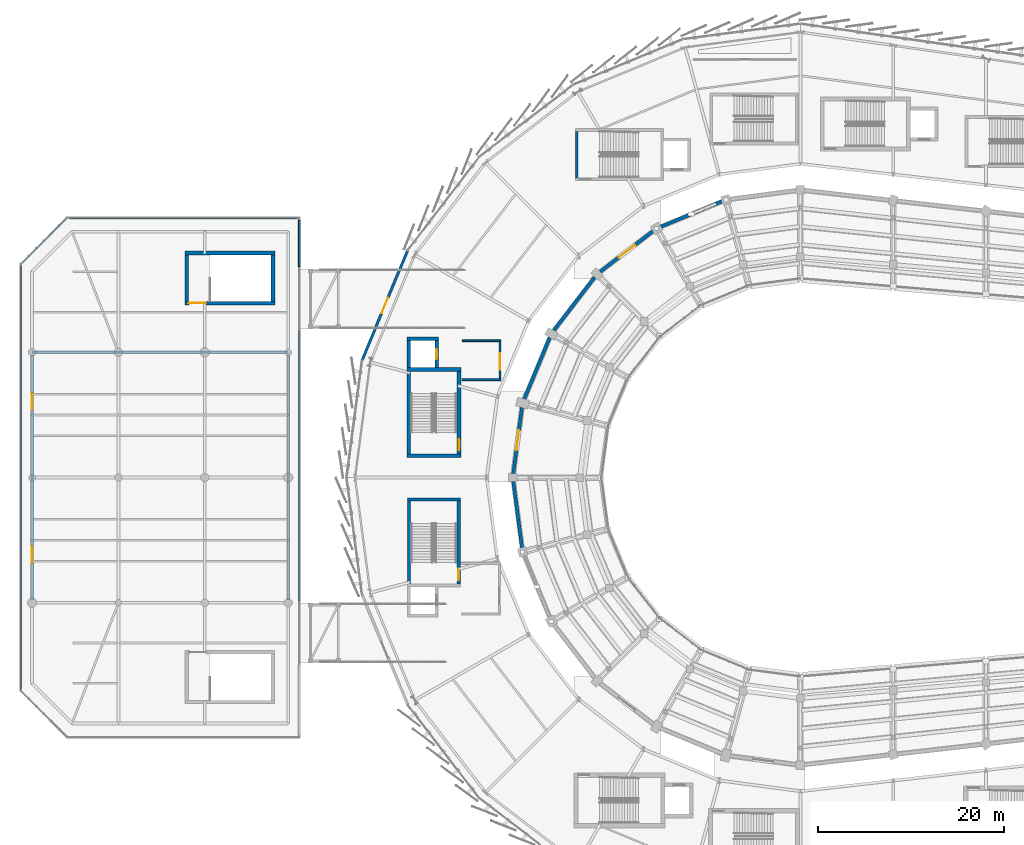
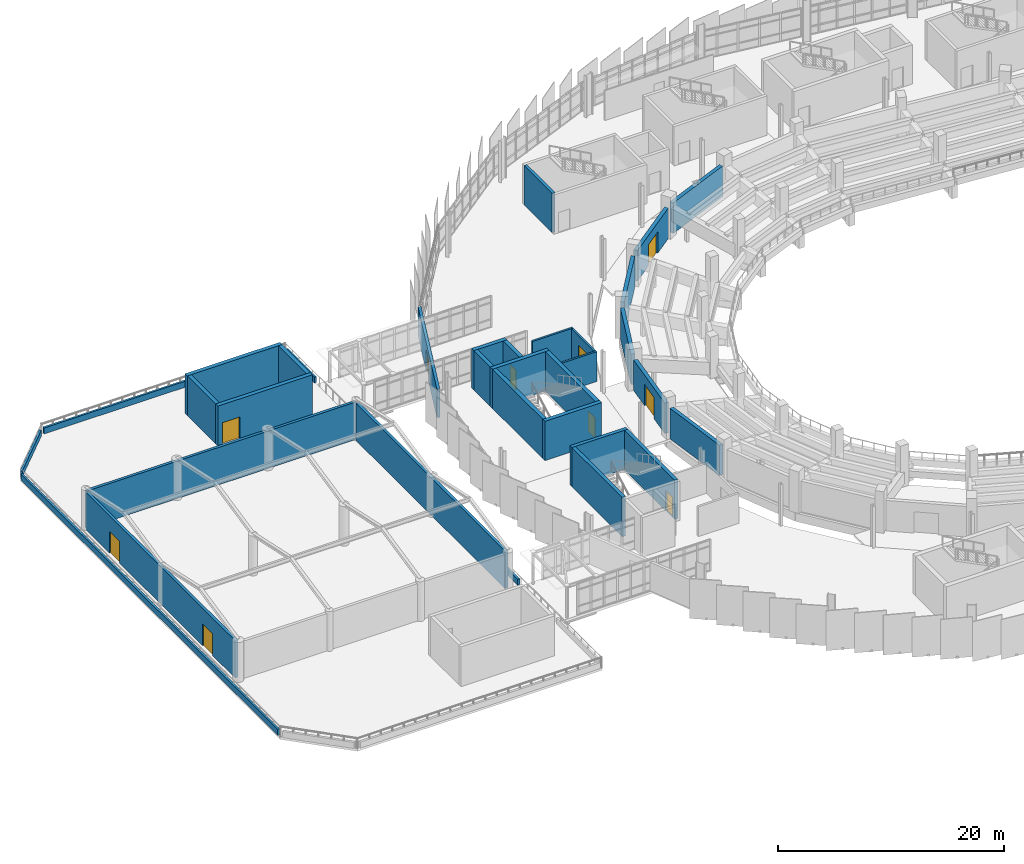
# One storey, part 101 of 120: 33 walls, 10 doors, 10 openings.
"""IFC4 building model written with IfcOpenShell, lengths in metres."""

from ifc_helpers import new_model, si_unit, direction, frame, frame_2d, origin, place, context, subcontext, project, spatial, rectangle, extrude, material, layer, layer_set, type_object, element, fill, save


model = new_model("IFC4")

# Units and contexts
model_context = context("Model", 3, precision=1e-05, world=origin(), true_north=direction((0.0, 1.0)))
body_context = subcontext(model_context, "Body", "Model", "MODEL_VIEW")
ifc_project = project(units=[si_unit("LENGTHUNIT", "METRE"), si_unit("AREAUNIT", "SQUARE_METRE"), si_unit("VOLUMEUNIT", "CUBIC_METRE"), si_unit("PLANEANGLEUNIT", "RADIAN"), si_unit("MASSUNIT", "GRAM", prefix="KILO")], contexts=[model_context])

# Site, building, storey
site_placement = place(None, origin())
site = spatial("IfcSite", under=ifc_project, at=site_placement, CompositionType="ELEMENT")
building_placement = place(site_placement, origin())
building = spatial("IfcBuilding", under=site, at=building_placement, Name="Sohan Crest Arena", CompositionType="ELEMENT")
storey_placement = place(building_placement, frame((0.0, 0.0, 13.5)))
storey = spatial("IfcBuildingStorey", under=building, at=storey_placement, Name="L03", CompositionType="ELEMENT", Elevation=13.5)

# Wall, opening, door
ifc_material_1 = material(Name="Clinker brick and ceramic mosaic envelope wall", Category="masonry")
ifc_layer_1 = layer(ifc_material_1, 0.280029296875, Name="Clinker brick and ceramic mosaic envelope wall")
ifc_layer_set_1 = layer_set([ifc_layer_1], Name="Clinker brick and ceramic mosaic envelope wall")
wall_type_1 = type_object("IfcWallType", Name="WAL-EW02", PredefinedType="SOLIDWALL", material=ifc_layer_set_1)
wall_1_placement = place(storey_placement, frame((55.65087890625, 102.449951171875, 0.0), z_axis=(0.0, 0.0, 1.0), x_axis=(-0.382653578879, -0.923891897665, 0.0)))
wall_1 = element("IfcWall", 1, at=wall_1_placement, inside=storey, type_object=wall_type_1, Name="External wall EW-096", PredefinedType="SOLIDWALL", context=body_context, shape_type="SweptSolid", body=[
    extrude(rectangle(XDim=12.765625, YDim=0.280029296875, at=frame_2d((6.3828125, 0.0))), origin(), (0.0, 0.0, 1.0), 3.10009765625),
])
opening_1_placement = place(wall_1_placement, frame((5.48291015625, 0.0, 0.0)))
opening_1 = element("IfcOpeningElement", 2, at=opening_1_placement, cuts=wall_1, Name="Opening BD-L03-05", PredefinedType="OPENING", context=body_context, shape_type="SweptSolid", body=[
    extrude(rectangle(XDim=1.800048828125, YDim=2.35009765625, at=frame_2d((0.89990234375, 1.175048828125))), frame((0.0, 0.14990234375, 0.0), z_axis=(0.0, -1.0, 0.0), x_axis=(1.0, 0.0, 0.0)), (0.0, 0.0, 1.0), 0.300048828125),
])
ifc_material_2 = material(Name="Glazed aluminium terrace access door", Category="aluminium")
door_type_1 = type_object("IfcDoorType", Name="DR-ED01", OperationType="DOUBLE_DOOR_SINGLE_SWING", PredefinedType="DOOR", material=ifc_material_2)
door_1_placement = place(opening_1_placement, frame((1.800048828125, 0.0, 0.0), z_axis=(0.0, 0.0, 1.0), x_axis=(-1.0, 0.0, 0.0)))
door_1 = element("IfcDoor", 3, at=door_1_placement, inside=storey, type_object=door_type_1, Name="Covered bridge passage door BD-L03-05", OperationType="DOUBLE_DOOR_SINGLE_SWING", OverallHeight=2.35009765625, OverallWidth=1.800048828125, PredefinedType="DOOR", context=body_context, shape_type="SweptSolid", body=[
    extrude(rectangle(XDim=1.800048828125, YDim=2.35009765625, at=frame_2d((0.89990234375, 1.175048828125))), frame((0.0, 0.02490234375, 0.0), z_axis=(0.0, -1.0, 0.0), x_axis=(1.0, 0.0, 0.0)), (0.0, 0.0, 1.0), 0.050048828125),
])
fill(opening_1, door_1)

# Walls
wall_2_placement = place(storey_placement, frame((15.199951171875, 91.5, 0.0), z_axis=(0.0, 0.0, 1.0), x_axis=(1.0, 0.0, 0.0)))
element("IfcWall", 4, at=wall_2_placement, inside=storey, type_object=wall_type_1, Name="Interior partition wall PW-0896", PredefinedType="SOLIDWALL", context=body_context, shape_type="SweptSolid", body=[
    extrude(rectangle(XDim=27.60009765625, YDim=0.280029296875, at=frame_2d((13.800048828125, 0.0))), origin(), (0.0, 0.0, 1.0), 4.050048828125),
])
wall_3_placement = place(storey_placement, frame((42.800048828125, 64.800048828125, 0.0), z_axis=(0.0, 0.0, 1.0), x_axis=(0.0, 1.0, 0.0)))
element("IfcWall", 5, at=wall_3_placement, inside=storey, type_object=wall_type_1, Name="Interior partition wall PW-0897", PredefinedType="SOLIDWALL", context=body_context, shape_type="SweptSolid", body=[
    extrude(rectangle(XDim=26.39990234375, YDim=0.280029296875, at=frame_2d((13.199951171875, 0.0))), origin(), (0.0, 0.0, 1.0), 4.050048828125),
])

# Wall, openings, doors
wall_4_placement = place(storey_placement, frame((15.199951171875, 64.800048828125, 0.0), z_axis=(0.0, 0.0, 1.0), x_axis=(0.0, 1.0, 0.0)))
wall_4 = element("IfcWall", 6, at=wall_4_placement, inside=storey, type_object=wall_type_1, Name="Interior partition wall PW-0898", PredefinedType="SOLIDWALL", context=body_context, shape_type="SweptSolid", body=[
    extrude(rectangle(XDim=26.39990234375, YDim=0.280029296875, at=frame_2d((13.199951171875, 0.0))), origin(), (0.0, 0.0, 1.0), 4.050048828125),
])
opening_2_placement = place(wall_4_placement, frame((4.0, 0.0, 0.0)))
opening_2 = element("IfcOpeningElement", 7, at=opening_2_placement, cuts=wall_4, Name="Opening TD-L03-01", PredefinedType="OPENING", context=body_context, shape_type="SweptSolid", body=[
    extrude(rectangle(XDim=1.800048828125, YDim=2.35009765625, at=frame_2d((0.89990234375, 1.175048828125))), frame((0.0, 0.14990234375, 0.0), z_axis=(0.0, -1.0, 0.0), x_axis=(1.0, 0.0, 0.0)), (0.0, 0.0, 1.0), 0.300048828125),
])
opening_3_placement = place(wall_4_placement, frame((20.5, 0.0, 0.0)))
opening_3 = element("IfcOpeningElement", 8, at=opening_3_placement, cuts=wall_4, Name="Opening TD-L03-02", PredefinedType="OPENING", context=body_context, shape_type="SweptSolid", body=[
    extrude(rectangle(XDim=1.800048828125, YDim=2.35009765625, at=frame_2d((0.89990234375, 1.175048828125))), frame((0.0, 0.14990234375, 0.0), z_axis=(0.0, -1.0, 0.0), x_axis=(1.0, 0.0, 0.0)), (0.0, 0.0, 1.0), 0.300048828125),
])
door_2_placement = place(opening_2_placement, frame((1.800048828125, 0.0, 0.0), z_axis=(0.0, 0.0, 1.0), x_axis=(-1.0, 0.0, 0.0)))
door_2 = element("IfcDoor", 9, at=door_2_placement, inside=storey, type_object=door_type_1, Name="Roof garden south terrace door TD-L03-01", OperationType="DOUBLE_DOOR_SINGLE_SWING", OverallHeight=2.35009765625, OverallWidth=1.800048828125, PredefinedType="DOOR", context=body_context, shape_type="SweptSolid", body=[
    extrude(rectangle(XDim=1.800048828125, YDim=2.35009765625, at=frame_2d((0.89990234375, 1.175048828125))), frame((0.0, 0.02490234375, 0.0), z_axis=(0.0, -1.0, 0.0), x_axis=(1.0, 0.0, 0.0)), (0.0, 0.0, 1.0), 0.050048828125),
])
fill(opening_2, door_2)
door_3_placement = place(opening_3_placement, frame((1.800048828125, 0.0, 0.0), z_axis=(0.0, 0.0, 1.0), x_axis=(-1.0, 0.0, 0.0)))
door_3 = element("IfcDoor", 10, at=door_3_placement, inside=storey, type_object=door_type_1, Name="Roof garden north terrace door TD-L03-02", OperationType="DOUBLE_DOOR_SINGLE_SWING", OverallHeight=2.35009765625, OverallWidth=1.800048828125, PredefinedType="DOOR", context=body_context, shape_type="SweptSolid", body=[
    extrude(rectangle(XDim=1.800048828125, YDim=2.35009765625, at=frame_2d((0.89990234375, 1.175048828125))), frame((0.0, 0.02490234375, 0.0), z_axis=(0.0, -1.0, 0.0), x_axis=(1.0, 0.0, 0.0)), (0.0, 0.0, 1.0), 0.050048828125),
])
fill(opening_3, door_3)

# Wall
ifc_material_3 = material(Name="Acoustic insulated bowl drum enclosure wall", Category="masonry")
ifc_layer_2 = layer(ifc_material_3, 0.3701171875, Name="Acoustic insulated bowl drum enclosure wall")
ifc_layer_set_2 = layer_set([ifc_layer_2], Name="Acoustic insulated bowl drum enclosure wall")
wall_type_2 = type_object("IfcWallType", Name="WAL-EW05", PredefinedType="SOLIDWALL", material=ifc_layer_set_2)
wall_5_placement = place(storey_placement, frame((89.570068359375, 107.77587890625, 0.0), z_axis=(0.0, 0.0, 1.0), x_axis=(-0.923828261086, -0.382807189089, 0.0)))
element("IfcWall", 11, at=wall_5_placement, inside=storey, type_object=wall_type_2, Name="Acoustic bowl drum wall BW-L03-02", PredefinedType="SOLIDWALL", context=body_context, shape_type="SweptSolid", body=[
    extrude(rectangle(XDim=7.21240234375, YDim=0.3701171875, at=frame_2d((3.606201171875, 0.0))), origin(), (0.0, 0.0, 1.0), 3.300048828125),
])

# Wall, opening, door
wall_6_placement = place(storey_placement, frame((82.15087890625, 104.5791015625, 0.0), z_axis=(0.0, 0.0, 1.0), x_axis=(-0.793318070515, -0.608807390719, 0.0)))
wall_6 = element("IfcWall", 12, at=wall_6_placement, inside=storey, type_object=wall_type_2, Name="Acoustic bowl drum wall BW-L03-03", PredefinedType="SOLIDWALL", context=body_context, shape_type="SweptSolid", body=[
    extrude(rectangle(XDim=7.212646484375, YDim=0.3701171875, at=frame_2d((3.6064453125, 0.0))), origin(), (0.0, 0.0, 1.0), 3.300048828125),
])
opening_4_placement = place(wall_6_placement, frame((2.506103515625, 0.0, 0.0)))
opening_4 = element("IfcOpeningElement", 13, at=opening_4_placement, cuts=wall_6, Name="Opening VD-L03-03", PredefinedType="OPENING", context=body_context, shape_type="SweptSolid", body=[
    extrude(rectangle(XDim=2.199951171875, YDim=2.300048828125, at=frame_2d((1.10009765625, 1.14990234375))), frame((0.0, 0.195068359375, 0.0), z_axis=(0.0, -1.0, 0.0), x_axis=(1.0, 0.0, 0.0)), (0.0, 0.0, 1.0), 0.39013671875),
])
ifc_material_4 = material(Name="Fire-rated steel double escape door", Category="steel")
door_type_2 = type_object("IfcDoorType", Name="DR-FD01", OperationType="DOUBLE_DOOR_SINGLE_SWING", PredefinedType="DOOR", material=ifc_material_4)
door_4_placement = place(opening_4_placement, origin())
door_4 = element("IfcDoor", 14, at=door_4_placement, inside=storey, type_object=door_type_2, Name="Bowl vomitory portal fire door VD-L03-03", OperationType="DOUBLE_DOOR_SINGLE_SWING", OverallHeight=2.300048828125, OverallWidth=2.199951171875, PredefinedType="DOOR", context=body_context, shape_type="SweptSolid", body=[
    extrude(rectangle(XDim=2.199951171875, YDim=2.300048828125, at=frame_2d((1.10009765625, 1.14990234375))), frame((0.0, 0.02490234375, 0.0), z_axis=(0.0, -1.0, 0.0), x_axis=(1.0, 0.0, 0.0)), (0.0, 0.0, 1.0), 0.050048828125),
])
fill(opening_4, door_4)

# Walls
wall_7_placement = place(storey_placement, frame((75.81201171875, 99.571044921875, 0.0), z_axis=(0.0, 0.0, 1.0), x_axis=(-0.608807390719, -0.793318070515, 0.0)))
element("IfcWall", 15, at=wall_7_placement, inside=storey, type_object=wall_type_2, Name="Acoustic bowl drum wall BW-L03-04", PredefinedType="SOLIDWALL", context=body_context, shape_type="SweptSolid", body=[
    extrude(rectangle(XDim=7.212646484375, YDim=0.3701171875, at=frame_2d((3.6064453125, 0.0))), origin(), (0.0, 0.0, 1.0), 3.300048828125),
])
wall_8_placement = place(storey_placement, frame((70.985107421875, 93.093017578125, 0.0), z_axis=(0.0, 0.0, 1.0), x_axis=(-0.382807189089, -0.923828261086, 0.0)))
element("IfcWall", 16, at=wall_8_placement, inside=storey, type_object=wall_type_2, Name="Acoustic bowl drum wall BW-L03-05", PredefinedType="SOLIDWALL", context=body_context, shape_type="SweptSolid", body=[
    extrude(rectangle(XDim=7.21240234375, YDim=0.3701171875, at=frame_2d((3.606201171875, 0.0))), origin(), (0.0, 0.0, 1.0), 3.300048828125),
])

# Wall, opening, door
wall_9_placement = place(storey_placement, frame((67.9990234375, 85.5869140625, 0.0), z_axis=(0.0, 0.0, 1.0), x_axis=(-0.130622625772, -0.991432160885, 0.0)))
wall_9 = element("IfcWall", 17, at=wall_9_placement, inside=storey, type_object=wall_type_2, Name="Acoustic bowl drum wall BW-L03-06", PredefinedType="SOLIDWALL", context=body_context, shape_type="SweptSolid", body=[
    extrude(rectangle(XDim=7.212646484375, YDim=0.3701171875, at=frame_2d((3.6064453125, 0.0))), origin(), (0.0, 0.0, 1.0), 3.300048828125),
])
opening_5_placement = place(wall_9_placement, frame((2.506103515625, 0.0, 0.0)))
opening_5 = element("IfcOpeningElement", 18, at=opening_5_placement, cuts=wall_9, Name="Opening VD-L03-06", PredefinedType="OPENING", context=body_context, shape_type="SweptSolid", body=[
    extrude(rectangle(XDim=2.199951171875, YDim=2.300048828125, at=frame_2d((1.10009765625, 1.14990234375))), frame((0.0, 0.195068359375, 0.0), z_axis=(0.0, -1.0, 0.0), x_axis=(1.0, 0.0, 0.0)), (0.0, 0.0, 1.0), 0.39013671875),
])
door_5_placement = place(opening_5_placement, origin())
door_5 = element("IfcDoor", 19, at=door_5_placement, inside=storey, type_object=door_type_2, Name="Bowl vomitory portal fire door VD-L03-06", OperationType="DOUBLE_DOOR_SINGLE_SWING", OverallHeight=2.300048828125, OverallWidth=2.199951171875, PredefinedType="DOOR", context=body_context, shape_type="SweptSolid", body=[
    extrude(rectangle(XDim=2.199951171875, YDim=2.300048828125, at=frame_2d((1.10009765625, 1.14990234375))), frame((0.0, 0.02490234375, 0.0), z_axis=(0.0, -1.0, 0.0), x_axis=(1.0, 0.0, 0.0)), (0.0, 0.0, 1.0), 0.050048828125),
])
fill(opening_5, door_5)

# Walls
wall_10_placement = place(storey_placement, frame((67.056884765625, 77.56396484375, 0.0), z_axis=(0.0, 0.0, 1.0), x_axis=(0.130622625772, -0.991432160885, 0.0)))
element("IfcWall", 20, at=wall_10_placement, inside=storey, type_object=wall_type_2, Name="Acoustic bowl drum wall BW-L03-07", PredefinedType="SOLIDWALL", context=body_context, shape_type="SweptSolid", body=[
    extrude(rectangle(XDim=7.212646484375, YDim=0.3701171875, at=frame_2d((3.6064453125, 0.0))), origin(), (0.0, 0.0, 1.0), 3.300048828125),
])
ifc_material_5 = material(Name="Fire-rated masonry blockwork compartment wall", Category="masonry")
ifc_layer_3 = layer(ifc_material_5, 0.199951171875, Name="Fire-rated masonry blockwork compartment wall")
ifc_layer_set_3 = layer_set([ifc_layer_3], Name="Fire-rated masonry blockwork compartment wall")
wall_type_3 = type_object("IfcWallType", Name="WAL-FW01", PredefinedType="PARTITIONING", material=ifc_layer_set_3)
for number, where, z_axis, x_axis, name in (
    (21, (61.5400390625, 88.550048828125, 0.0), (0.0, 0.0, 1.0), (1.0, 0.0, 0.0), "Interior partition wall PW-0118"),
    (22, (61.5400390625, 92.75, 0.0), (0.0, 0.0, 1.0), (1.0, 0.0, 0.0), "Interior partition wall PW-0119"),
):
    element("IfcWall", number, at=place(storey_placement, frame(where, z_axis=z_axis, x_axis=x_axis)), inside=storey, type_object=wall_type_3, Name=name, PredefinedType="PARTITIONING", context=body_context, shape_type="SweptSolid", body=[
        extrude(rectangle(XDim=4.179931640625, YDim=0.199951171875, at=frame_2d((2.08984375, 0.0))), origin(), (0.0, 0.0, 1.0), 3.219970703125),
    ])

# Wall, opening, door
wall_11_placement = place(storey_placement, frame((65.6201171875, 88.669921875, 0.0), z_axis=(0.0, 0.0, 1.0), x_axis=(0.0, 1.0, 0.0)))
wall_11 = element("IfcWall", 23, at=wall_11_placement, inside=storey, type_object=wall_type_3, Name="Interior partition wall PW-0120", PredefinedType="PARTITIONING", context=body_context, shape_type="SweptSolid", body=[
    extrude(rectangle(XDim=3.9599609375, YDim=0.199951171875, at=frame_2d((1.97998046875, 0.0))), origin(), (0.0, 0.0, 1.0), 3.219970703125),
])
opening_6_placement = place(wall_11_placement, frame((0.949951171875, 0.0, 0.0)))
opening_6 = element("IfcOpeningElement", 24, at=opening_6_placement, cuts=wall_11, Name="Opening FFL-0036", PredefinedType="OPENING", context=body_context, shape_type="SweptSolid", body=[
    extrude(rectangle(XDim=1.800048828125, YDim=2.199951171875, at=frame_2d((0.89990234375, 1.10009765625))), frame((0.0, 0.10986328125, 0.0), z_axis=(0.0, -1.0, 0.0), x_axis=(1.0, 0.0, 0.0)), (0.0, 0.0, 1.0), 0.219970703125),
])
ifc_material_6 = material(Name="Fire-rated timber-faced lobby double door", Category="wood")
door_type_3 = type_object("IfcDoorType", Name="DR-FD03", OperationType="DOUBLE_DOOR_SINGLE_SWING", PredefinedType="DOOR", material=ifc_material_6)
door_6_placement = place(opening_6_placement, origin())
door_6 = element("IfcDoor", 25, at=door_6_placement, inside=storey, type_object=door_type_3, Name="Firefighting lift lobby door FL02 FFL-0036", OperationType="DOUBLE_DOOR_SINGLE_SWING", OverallHeight=2.199951171875, OverallWidth=1.800048828125, PredefinedType="DOOR", context=body_context, shape_type="SweptSolid", body=[
    extrude(rectangle(XDim=1.800048828125, YDim=2.199951171875, at=frame_2d((0.89990234375, 1.10009765625))), frame((0.0, 0.02490234375, 0.0), z_axis=(0.0, -1.0, 0.0), x_axis=(1.0, 0.0, 0.0)), (0.0, 0.0, 1.0), 0.050048828125),
])
fill(opening_6, door_6)

# Walls
ifc_material_7 = material(Name="Glazed trencadis ceramic parapet wall", Category="masonry")
ifc_layer_4 = layer(ifc_material_7, 0.2099609375, Name="Glazed trencadis ceramic parapet wall")
ifc_layer_set_4 = layer_set([ifc_layer_4], Name="Glazed trencadis ceramic parapet wall")
wall_type_4 = type_object("IfcWallType", Name="WAL-PP01", PredefinedType="PARAPET", material=ifc_layer_set_4)
wall_12_placement = place(storey_placement, frame((44.0, 64.699951171875, 0.0), z_axis=(0.0, 0.0, 1.0), x_axis=(0.0, 1.0, 0.0)))
element("IfcWall", 26, at=wall_12_placement, inside=storey, type_object=wall_type_4, Name="Ceramic mosaic terrace parapet PP-03", PredefinedType="PARAPET", context=body_context, shape_type="SweptSolid", body=[
    extrude(rectangle(XDim=29.10009765625, YDim=0.2099609375, at=frame_2d((14.550048828125, 0.0))), origin(), (0.0, 0.0, 1.0), 0.64990234375),
])
wall_13_placement = place(storey_placement, frame((44.0, 100.699951171875, 0.0), z_axis=(0.0, 0.0, 1.0), x_axis=(0.0, 1.0, 0.0)))
element("IfcWall", 27, at=wall_13_placement, inside=storey, type_object=wall_type_4, Name="Ceramic mosaic terrace parapet PP-04", PredefinedType="PARAPET", context=body_context, shape_type="SweptSolid", body=[
    extrude(rectangle(XDim=5.050048828125, YDim=0.2099609375, at=frame_2d((2.52490234375, 0.0))), origin(), (0.0, 0.0, 1.0), 0.64990234375),
])
wall_14_placement = place(storey_placement, frame((43.75, 106.0, 0.0), z_axis=(0.0, 0.0, 1.0), x_axis=(-1.0, 0.0, 0.0)))
element("IfcWall", 28, at=wall_14_placement, inside=storey, type_object=wall_type_4, Name="Ceramic mosaic terrace parapet PP-05", PredefinedType="PARAPET", context=body_context, shape_type="SweptSolid", body=[
    extrude(rectangle(XDim=24.5, YDim=0.2099609375, at=frame_2d((12.25, 0.0))), origin(), (0.0, 0.0, 1.0), 0.64990234375),
])
wall_15_placement = place(storey_placement, frame((18.822998046875, 105.822998046875, 0.0), z_axis=(0.0, 0.0, 1.0), x_axis=(-0.707106781187, -0.707106781187, 0.0)))
element("IfcWall", 29, at=wall_15_placement, inside=storey, type_object=wall_type_4, Name="Ceramic mosaic terrace parapet PP-06", PredefinedType="PARAPET", context=body_context, shape_type="SweptSolid", body=[
    extrude(rectangle(XDim=6.5703125, YDim=0.2099609375, at=frame_2d((3.28515625, 0.0))), origin(), (0.0, 0.0, 1.0), 0.64990234375),
])
wall_16_placement = place(storey_placement, frame((14.0, 100.75, 0.0), z_axis=(0.0, 0.0, 1.0), x_axis=(0.0, -1.0, 0.0)))
element("IfcWall", 30, at=wall_16_placement, inside=storey, type_object=wall_type_4, Name="Ceramic mosaic terrace parapet PP-07", PredefinedType="PARAPET", context=body_context, shape_type="SweptSolid", body=[
    extrude(rectangle(XDim=45.5, YDim=0.2099609375, at=frame_2d((22.75, 0.0))), origin(), (0.0, 0.0, 1.0), 0.64990234375),
])
ifc_material_8 = material(Name="Concrete C40/50", Category="concrete")
ifc_layer_5 = layer(ifc_material_8, 0.300048828125, Name="Concrete C40/50")
ifc_layer_set_5 = layer_set([ifc_layer_5], Name="Concrete C40/50")
wall_type_5 = type_object("IfcWallType", Name="WAL-SW01", PredefinedType="SHEAR", material=ifc_layer_set_5)
wall_17_placement = place(storey_placement, frame((73.89990234375, 110.300048828125, 0.0), z_axis=(0.0, 0.0, 1.0), x_axis=(0.0, 1.0, 0.0)))
element("IfcWall", 31, at=wall_17_placement, inside=storey, type_object=wall_type_5, Name="Core shear wall SW-0218", PredefinedType="SHEAR", context=body_context, shape_type="SweptSolid", body=[
    extrude(rectangle(XDim=5.0, YDim=0.300048828125, at=frame_2d((2.5, 0.0))), origin(), (0.0, 0.0, 1.0), 4.25),
])
ifc_layer_6 = layer(ifc_material_8, 0.35009765625, Name="Concrete C40/50")
ifc_layer_set_6 = layer_set([ifc_layer_6], Name="Concrete C40/50")
wall_type_6 = type_object("IfcWallType", Name="WAL-SW02", PredefinedType="SHEAR", material=ifc_layer_set_6)
wall_18_placement = place(storey_placement, frame((55.64990234375, 75.625, 0.0), z_axis=(0.0, 0.0, 1.0), x_axis=(1.0, 0.0, 0.0)))
element("IfcWall", 32, at=wall_18_placement, inside=storey, type_object=wall_type_6, Name="Core shear wall SW-0042", PredefinedType="SHEAR", context=body_context, shape_type="SweptSolid", body=[
    extrude(rectangle(XDim=5.7001953125, YDim=0.35009765625, at=frame_2d((2.85009765625, 0.0))), origin(), (0.0, 0.0, 1.0), 4.25),
])
wall_19_placement = place(storey_placement, frame((55.824951171875, 66.550048828125, 0.0), z_axis=(0.0, 0.0, 1.0), x_axis=(0.0, 1.0, 0.0)))
element("IfcWall", 33, at=wall_19_placement, inside=storey, type_object=wall_type_6, Name="Core shear wall SW-0043", PredefinedType="SHEAR", context=body_context, shape_type="SweptSolid", body=[
    extrude(rectangle(XDim=8.89990234375, YDim=0.35009765625, at=frame_2d((4.449951171875, 0.0))), origin(), (0.0, 0.0, 1.0), 4.25),
])

# Wall, opening, door
wall_20_placement = place(storey_placement, frame((61.175048828125, 66.550048828125, 0.0), z_axis=(0.0, 0.0, 1.0), x_axis=(0.0, 1.0, 0.0)))
wall_20 = element("IfcWall", 34, at=wall_20_placement, inside=storey, type_object=wall_type_6, Name="Core shear wall SW-0044", PredefinedType="SHEAR", context=body_context, shape_type="SweptSolid", body=[
    extrude(rectangle(XDim=8.89990234375, YDim=0.35009765625, at=frame_2d((4.449951171875, 0.0))), origin(), (0.0, 0.0, 1.0), 4.25),
])
opening_7_placement = place(wall_20_placement, frame((0.39990234375, 0.0, 0.0)))
opening_7 = element("IfcOpeningElement", 35, at=opening_7_placement, cuts=wall_20, Name="Opening SD-0013", PredefinedType="OPENING", context=body_context, shape_type="SweptSolid", body=[
    extrude(rectangle(XDim=1.199951171875, YDim=2.199951171875, at=frame_2d((0.60009765625, 1.10009765625))), frame((0.0, 0.18505859375, 0.0), z_axis=(0.0, -1.0, 0.0), x_axis=(1.0, 0.0, 0.0)), (0.0, 0.0, 1.0), 0.3701171875),
])
ifc_material_9 = material(Name="Fire-rated steel stair and lobby door", Category="steel")
door_type_4 = type_object("IfcDoorType", Name="DR-FD04", OperationType="NOTDEFINED", PredefinedType="DOOR", material=ifc_material_9)
door_7_placement = place(opening_7_placement, origin())
door_7 = element("IfcDoor", 36, at=door_7_placement, inside=storey, type_object=door_type_4, Name="Protected stair door SD-0013", OperationType="SINGLE_SWING_RIGHT", OverallHeight=2.199951171875, OverallWidth=1.199951171875, PredefinedType="DOOR", context=body_context, shape_type="SweptSolid", body=[
    extrude(rectangle(XDim=1.199951171875, YDim=2.199951171875, at=frame_2d((0.60009765625, 1.10009765625))), frame((0.0, 0.02490234375, 0.0), z_axis=(0.0, -1.0, 0.0), x_axis=(1.0, 0.0, 0.0)), (0.0, 0.0, 1.0), 0.050048828125),
])
fill(opening_7, door_7)

# Walls
ifc_layer_7 = layer(ifc_material_8, 0.39990234375, Name="Concrete C40/50")
ifc_layer_set_7 = layer_set([ifc_layer_7], Name="Concrete C40/50")
wall_type_7 = type_object("IfcWallType", Name="WAL-SW03", PredefinedType="SHEAR", material=ifc_layer_set_7)
for number, where, z_axis, x_axis, name in (
    (37, (55.60009765625, 80.35009765625, 0.0), (0.0, 0.0, 1.0), (1.0, 0.0, 0.0), "Core shear wall SW-0111"),
    (38, (55.60009765625, 89.64990234375, 0.0), (0.0, 0.0, 1.0), (1.0, 0.0, 0.0), "Core shear wall SW-0112"),
):
    element("IfcWall", number, at=place(storey_placement, frame(where, z_axis=z_axis, x_axis=x_axis)), inside=storey, type_object=wall_type_7, Name=name, PredefinedType="SHEAR", context=body_context, shape_type="SweptSolid", body=[
        extrude(rectangle(XDim=5.7998046875, YDim=0.39990234375, at=frame_2d((2.89990234375, 0.0))), origin(), (0.0, 0.0, 1.0), 4.25),
    ])
wall_21_placement = place(storey_placement, frame((55.800048828125, 80.550048828125, 0.0), z_axis=(0.0, 0.0, 1.0), x_axis=(0.0, 1.0, 0.0)))
element("IfcWall", 39, at=wall_21_placement, inside=storey, type_object=wall_type_7, Name="Core shear wall SW-0113", PredefinedType="SHEAR", context=body_context, shape_type="SweptSolid", body=[
    extrude(rectangle(XDim=8.89990234375, YDim=0.39990234375, at=frame_2d((4.449951171875, 0.0))), origin(), (0.0, 0.0, 1.0), 4.25),
])

# Wall, opening, door
wall_22_placement = place(storey_placement, frame((61.199951171875, 80.550048828125, 0.0), z_axis=(0.0, 0.0, 1.0), x_axis=(0.0, 1.0, 0.0)))
wall_22 = element("IfcWall", 40, at=wall_22_placement, inside=storey, type_object=wall_type_7, Name="Core shear wall SW-0114", PredefinedType="SHEAR", context=body_context, shape_type="SweptSolid", body=[
    extrude(rectangle(XDim=8.89990234375, YDim=0.39990234375, at=frame_2d((4.449951171875, 0.0))), origin(), (0.0, 0.0, 1.0), 4.25),
])
opening_8_placement = place(wall_22_placement, frame((0.39990234375, 0.0, 0.0)))
opening_8 = element("IfcOpeningElement", 41, at=opening_8_placement, cuts=wall_22, Name="Opening SD-0034", PredefinedType="OPENING", context=body_context, shape_type="SweptSolid", body=[
    extrude(rectangle(XDim=1.199951171875, YDim=2.199951171875, at=frame_2d((0.60009765625, 1.10009765625))), frame((0.0, 0.2099609375, 0.0), z_axis=(0.0, -1.0, 0.0), x_axis=(1.0, 0.0, 0.0)), (0.0, 0.0, 1.0), 0.419921875),
])
door_8_placement = place(opening_8_placement, origin())
door_8 = element("IfcDoor", 42, at=door_8_placement, inside=storey, type_object=door_type_4, Name="Protected stair door SD-0034", OperationType="SINGLE_SWING_RIGHT", OverallHeight=2.199951171875, OverallWidth=1.199951171875, PredefinedType="DOOR", context=body_context, shape_type="SweptSolid", body=[
    extrude(rectangle(XDim=1.199951171875, YDim=2.199951171875, at=frame_2d((0.60009765625, 1.10009765625))), frame((0.0, 0.02490234375, 0.0), z_axis=(0.0, -1.0, 0.0), x_axis=(1.0, 0.0, 0.0)), (0.0, 0.0, 1.0), 0.050048828125),
])
fill(opening_8, door_8)

# Wall
wall_23_placement = place(storey_placement, frame((55.800048828125, 89.85009765625, 0.0), z_axis=(0.0, 0.0, 1.0), x_axis=(0.0, 1.0, 0.0)))
element("IfcWall", 43, at=wall_23_placement, inside=storey, type_object=wall_type_7, Name="Core shear wall SW-0115", PredefinedType="SHEAR", context=body_context, shape_type="SweptSolid", body=[
    extrude(rectangle(XDim=2.89990234375, YDim=0.39990234375, at=frame_2d((1.449951171875, 0.0))), origin(), (0.0, 0.0, 1.0), 4.25),
])

# Wall, opening, door
wall_24_placement = place(storey_placement, frame((58.800048828125, 89.85009765625, 0.0), z_axis=(0.0, 0.0, 1.0), x_axis=(0.0, 1.0, 0.0)))
wall_24 = element("IfcWall", 44, at=wall_24_placement, inside=storey, type_object=wall_type_7, Name="Core shear wall SW-0116", PredefinedType="SHEAR", context=body_context, shape_type="SweptSolid", body=[
    extrude(rectangle(XDim=2.89990234375, YDim=0.39990234375, at=frame_2d((1.449951171875, 0.0))), origin(), (0.0, 0.0, 1.0), 4.25),
])
opening_9_placement = place(wall_24_placement, frame((0.89990234375, 0.0, 0.0)))
opening_9 = element("IfcOpeningElement", 45, at=opening_9_placement, cuts=wall_24, Name="Opening LD-FL02-L03", PredefinedType="OPENING", context=body_context, shape_type="SweptSolid", body=[
    extrude(rectangle(XDim=1.10009765625, YDim=2.199951171875, at=frame_2d((0.550048828125, 1.10009765625))), frame((0.0, 0.2099609375, 0.0), z_axis=(0.0, -1.0, 0.0), x_axis=(1.0, 0.0, 0.0)), (0.0, 0.0, 1.0), 0.419921875),
])
ifc_material_10 = material(Name="Stainless steel firefighting lift landing door", Category="steel")
door_type_5 = type_object("IfcDoorType", Name="DR-LD01", OperationType="SLIDING_TO_LEFT", PredefinedType="DOOR", material=ifc_material_10)
door_9_placement = place(opening_9_placement, origin())
door_9 = element("IfcDoor", 46, at=door_9_placement, inside=storey, type_object=door_type_5, Name="Sliding lift landing door LD-FL02-L03", OperationType="SLIDING_TO_LEFT", OverallHeight=2.199951171875, OverallWidth=1.10009765625, PredefinedType="DOOR", context=body_context, shape_type="SweptSolid", body=[
    extrude(rectangle(XDim=1.10009765625, YDim=2.199951171875, at=frame_2d((0.550048828125, 1.10009765625))), frame((0.0, 0.02490234375, 0.0), z_axis=(0.0, -1.0, 0.0), x_axis=(1.0, 0.0, 0.0)), (0.0, 0.0, 1.0), 0.050048828125),
])
fill(opening_9, door_9)

# Walls
wall_25_placement = place(storey_placement, frame((55.60009765625, 92.949951171875, 0.0), z_axis=(0.0, 0.0, 1.0), x_axis=(1.0, 0.0, 0.0)))
element("IfcWall", 47, at=wall_25_placement, inside=storey, type_object=wall_type_7, Name="Core shear wall SW-0117", PredefinedType="SHEAR", context=body_context, shape_type="SweptSolid", body=[
    extrude(rectangle(XDim=3.39990234375, YDim=0.39990234375, at=frame_2d((1.699951171875, 0.0))), origin(), (0.0, 0.0, 1.0), 4.25),
])
for number, where, z_axis, x_axis, name in (
    (48, (31.85009765625, 97.0, 0.0), (0.0, 0.0, 1.0), (0.0, 1.0, 0.0), "Core shear wall SW-0581"),
    (49, (41.14990234375, 97.0, 0.0), (0.0, 0.0, 1.0), (0.0, 1.0, 0.0), "Core shear wall SW-0582"),
):
    element("IfcWall", number, at=place(storey_placement, frame(where, z_axis=z_axis, x_axis=x_axis)), inside=storey, type_object=wall_type_7, Name=name, PredefinedType="SHEAR", context=body_context, shape_type="SweptSolid", body=[
        extrude(rectangle(XDim=5.0, YDim=0.39990234375, at=frame_2d((2.5, 0.0))), origin(), (0.0, 0.0, 1.0), 4.304931640625),
    ])

# Wall, opening, door
wall_26_placement = place(storey_placement, frame((31.64990234375, 96.800048828125, 0.0), z_axis=(0.0, 0.0, 1.0), x_axis=(1.0, 0.0, 0.0)))
wall_26 = element("IfcWall", 50, at=wall_26_placement, inside=storey, type_object=wall_type_7, Name="Core shear wall SW-0583", PredefinedType="SHEAR", context=body_context, shape_type="SweptSolid", body=[
    extrude(rectangle(XDim=9.7001953125, YDim=0.39990234375, at=frame_2d((4.85009765625, 0.0))), origin(), (0.0, 0.0, 1.0), 4.304931640625),
])
opening_10_placement = place(wall_26_placement, frame((0.449951171875, 0.0, 0.0)))
opening_10 = element("IfcOpeningElement", 51, at=opening_10_placement, cuts=wall_26, Name="Opening SD-0158", PredefinedType="OPENING", context=body_context, shape_type="SweptSolid", body=[
    extrude(rectangle(XDim=1.800048828125, YDim=2.35009765625, at=frame_2d((0.89990234375, 1.175048828125))), frame((0.0, 0.2099609375, 0.0), z_axis=(0.0, -1.0, 0.0), x_axis=(1.0, 0.0, 0.0)), (0.0, 0.0, 1.0), 0.419921875),
])
door_10_placement = place(opening_10_placement, frame((1.800048828125, 0.0, 0.0), z_axis=(0.0, 0.0, 1.0), x_axis=(-1.0, 0.0, 0.0)))
door_10 = element("IfcDoor", 52, at=door_10_placement, inside=storey, type_object=door_type_1, Name="Roof garden stair lobby door SD-0158", OperationType="DOUBLE_DOOR_SINGLE_SWING", OverallHeight=2.35009765625, OverallWidth=1.800048828125, PredefinedType="DOOR", context=body_context, shape_type="SweptSolid", body=[
    extrude(rectangle(XDim=1.800048828125, YDim=2.35009765625, at=frame_2d((0.89990234375, 1.175048828125))), frame((0.0, 0.02490234375, 0.0), z_axis=(0.0, -1.0, 0.0), x_axis=(1.0, 0.0, 0.0)), (0.0, 0.0, 1.0), 0.050048828125),
])
fill(opening_10, door_10)

# Wall
wall_27_placement = place(storey_placement, frame((31.64990234375, 102.199951171875, 0.0), z_axis=(0.0, 0.0, 1.0), x_axis=(1.0, 0.0, 0.0)))
element("IfcWall", 53, at=wall_27_placement, inside=storey, type_object=wall_type_7, Name="Core shear wall SW-0584", PredefinedType="SHEAR", context=body_context, shape_type="SweptSolid", body=[
    extrude(rectangle(XDim=9.7001953125, YDim=0.39990234375, at=frame_2d((4.85009765625, 0.0))), origin(), (0.0, 0.0, 1.0), 4.304931640625),
])

save(model, "model.ifc")
